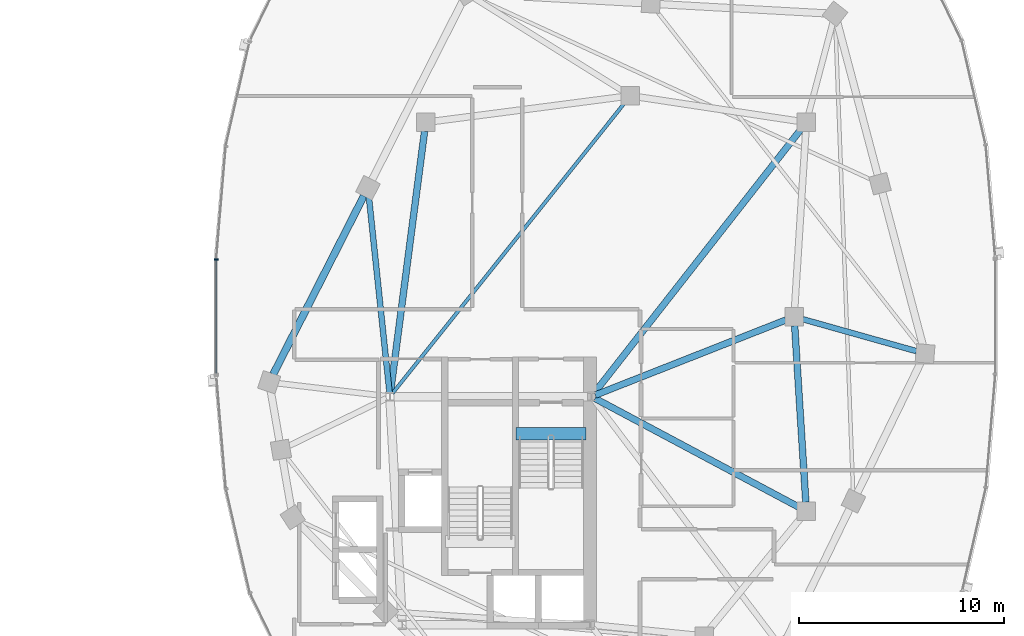
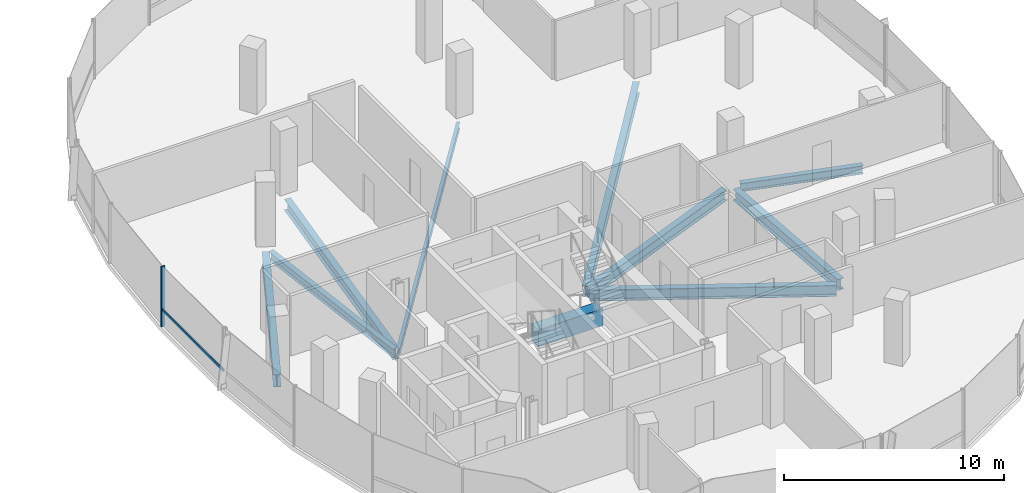
# One storey, part 9 of 25: 10 beams, 2 members, 1 element without a shape of its own.
"""IFC4 building model written with IfcOpenShell, lengths in metres."""

import ifcopenshell
import ifcopenshell.guid

model = None  # the IFC model being written
_history = None  # IfcOwnerHistory: only IFC2X3 demands one
_inside = {}  # id of a spatial element -> (the spatial element, [elements in it])
_under = {}  # id of a project, library or spatial element -> (it, [spatial elements below it])
_declared = {}  # id of a project -> (the project, [libraries it declares])
_typed = {}  # id of a type object -> (the type object, [elements of that type])
_made_of = {}  # id of a material, layer set ... -> (it, [elements and type objects made of it])


def new_model(schema):
    """Start an empty IFC model of exactly this schema.

    Asked for "IFC4X3", IfcOpenShell would pick the latest addendum, in which some entities
    have other attributes; the version numbers below select the first issue.
    IFC2X3 requires an IfcOwnerHistory on every rooted entity: one is made here for all.
    """
    global model, _history
    if schema == "IFC4X3":
        model = ifcopenshell.file(schema_version=(4, 3, 0, 0))
    else:
        model = ifcopenshell.file(schema=schema)
    _inside.clear()
    _under.clear()
    _declared.clear()
    _typed.clear()
    _made_of.clear()
    _history = None
    if model.schema == "IFC2X3":
        org = make("IfcOrganization", Name="unknown")
        user = make(
            "IfcPersonAndOrganization",
            ThePerson=make("IfcPerson", FamilyName="unknown"),
            TheOrganization=org,
        )
        app = make(
            "IfcApplication",
            ApplicationDeveloper=org,
            Version="unknown",
            ApplicationFullName="unknown",
            ApplicationIdentifier="unknown",
        )
        _history = make(
            "IfcOwnerHistory",
            OwningUser=user,
            OwningApplication=app,
            ChangeAction="ADDED",
            CreationDate=0,
        )
    return model


def make(cls, **values):
    """One entity of the class cls with the attributes given. An attribute that is None is left unset."""
    return model.create_entity(
        cls, **{name: value for name, value in values.items() if value is not None}
    )


def rooted(cls, **values):
    """An entity with a GlobalId (a new one), such as an element, a storey or a relation."""
    return make(cls, GlobalId=ifcopenshell.guid.new(), OwnerHistory=_history, **values)


def si_unit(unit_type, name, prefix=None):
    """IfcSIUnit, for example si_unit("LENGTHUNIT", "METRE", prefix="MILLI")."""
    return make("IfcSIUnit", UnitType=unit_type, Prefix=prefix, Name=name)


def assignment(units):
    """IfcUnitAssignment: the units of a project."""
    return None if units is None else make("IfcUnitAssignment", Units=units)


def point(xyz):
    """IfcCartesianPoint."""
    return None if xyz is None else make("IfcCartesianPoint", Coordinates=xyz)


def direction(xyz):
    """IfcDirection."""
    return None if xyz is None else make("IfcDirection", DirectionRatios=xyz)


def frame(location, z_axis=None, x_axis=None):
    """IfcAxis2Placement3D, a coordinate frame: its origin and axes. An axis left out is left unset."""
    return make(
        "IfcAxis2Placement3D",
        Location=point(location),
        Axis=direction(z_axis),
        RefDirection=direction(x_axis),
    )


def frame_2d(location, x_axis=None):
    """IfcAxis2Placement2D, a coordinate frame in the plane: its origin and x axis."""
    return make(
        "IfcAxis2Placement2D", Location=point(location), RefDirection=direction(x_axis)
    )


def origin():
    """The frame at (0, 0, 0) with its axes left unset."""
    return frame((0.0, 0.0, 0.0))


def origin_2d():
    """The frame at (0, 0) in the plane with its x axis left unset."""
    return frame_2d((0.0, 0.0))


def place(relative_to, where):
    """IfcLocalPlacement: puts the frame where relative to a parent placement (None: the world)."""
    return make(
        "IfcLocalPlacement", PlacementRelTo=relative_to, RelativePlacement=where
    )


def context(
    kind, dimensions, precision=None, world=None, true_north=None, identifier=None
):
    """IfcGeometricRepresentationContext, for example the 3D "Model" context."""
    return make(
        "IfcGeometricRepresentationContext",
        ContextIdentifier=identifier,
        ContextType=kind,
        CoordinateSpaceDimension=dimensions,
        Precision=precision,
        WorldCoordinateSystem=world,
        TrueNorth=true_north,
    )


def subcontext(parent, identifier, kind, view, scale=None):
    """IfcGeometricRepresentationSubContext, for example "Body" below "Model"."""
    return make(
        "IfcGeometricRepresentationSubContext",
        ContextIdentifier=identifier,
        ContextType=kind,
        ParentContext=parent,
        TargetScale=scale,
        TargetView=view,
    )


def project(units=None, contexts=None):
    """IfcProject with its units and contexts."""
    return rooted(
        "IfcProject",
        Name="project",
        RepresentationContexts=contexts,
        UnitsInContext=assignment(units),
    )


def spatial(cls, under=None, at=None, **own):
    """A site, building, storey or space (cls), placed at a placement, below another one or the project."""
    s = rooted(cls, ObjectPlacement=at, **own)
    if under is not None:
        _under.setdefault(under.id(), (under, []))[1].append(s)
    return s


def profile(cls, at=None, kind="AREA", **sizes):
    """A parametric profile (cls). Its sizes go by their IFC names, for example OverallWidth=200.0."""
    return make(cls, ProfileType=kind, Position=at, **sizes)


def rectangle(**sizes):
    """IfcRectangleProfileDef."""
    return profile("IfcRectangleProfileDef", **sizes)


def i_section(**sizes):
    """IfcIShapeProfileDef."""
    return profile("IfcIShapeProfileDef", **sizes)


def extrude(swept, where, along, depth):
    """IfcExtrudedAreaSolid: the profile swept, set in the frame where, extruded along a direction by depth."""
    return make(
        "IfcExtrudedAreaSolid",
        SweptArea=swept,
        Position=where,
        ExtrudedDirection=direction(along),
        Depth=depth,
    )


def shape(context_of_items, identifier, shape_type, items):
    """IfcShapeRepresentation: the items that make up one representation, for example the "Body"."""
    return make(
        "IfcShapeRepresentation",
        ContextOfItems=context_of_items,
        RepresentationIdentifier=identifier,
        RepresentationType=shape_type,
        Items=items,
    )


def material(Name=None, Category=None):
    """IfcMaterial."""
    return make("IfcMaterial", Name=Name, Category=Category)


def material_profile(
    of_material, cross_section, Name=None, Category=None, Priority=None
):
    """IfcMaterialProfile: a cross section and its material."""
    return make(
        "IfcMaterialProfile",
        Name=Name,
        Material=of_material,
        Profile=cross_section,
        Priority=Priority,
        Category=Category,
    )


def profile_set(profiles, Name=None, composite=None):
    """IfcMaterialProfileSet."""
    return make(
        "IfcMaterialProfileSet",
        Name=Name,
        MaterialProfiles=profiles,
        CompositeProfile=composite,
    )


def made_of(thing, what):
    """Note that an element or type object is made of a material, layer set ...; save() writes the relation."""
    if what is not None:
        _made_of.setdefault(what.id(), (what, []))[1].append(thing)
    return thing


def type_object(cls, material=None, **own):
    """A type object (cls), such as IfcWallType, which elements share."""
    return made_of(rooted(cls, **own), material)


def element(
    cls,
    number,
    at=None,
    inside=None,
    cuts=None,
    type_object=None,
    material=None,
    context=None,
    identifier="Body",
    shape_type=None,
    held_by="IfcProductDefinitionShape",
    body=None,
    shapes=None,
    **own,
):
    """One element of the class cls, such as IfcWall. Its Tag is "e" and its number.

    at: its placement. inside: the storey or other place that contains it. cuts: it is an
    opening in that element (IfcRelVoidsElement). A single representation is given by context,
    identifier, shape_type and body (its items); several are given by shapes. held_by: the class
    of the entity that holds the representations. save() writes the other relations.
    """
    e = rooted(cls, Tag="e%d" % number, ObjectPlacement=at, **own)
    if body is not None:
        shapes = [shape(context, identifier, shape_type, body)]
    if shapes is not None:
        e.Representation = make(held_by, Representations=shapes)
    if inside is not None:
        _inside.setdefault(inside.id(), (inside, []))[1].append(e)
    if cuts is not None:
        rooted(
            "IfcRelVoidsElement", RelatingBuildingElement=cuts, RelatedOpeningElement=e
        )
    if type_object is not None:
        _typed.setdefault(type_object.id(), (type_object, []))[1].append(e)
    return made_of(e, material)


def aggregate(whole, parts):
    """IfcRelAggregates: a whole, such as a stair, and the parts it consists of."""
    return rooted("IfcRelAggregates", RelatingObject=whole, RelatedObjects=parts)


def save(model, path):
    """Write the relations noted so far, then the file.

    IfcRelAggregates (storeys below a building ...), IfcRelContainedInSpatialStructure (elements
    in a storey), IfcRelDefinesByType, IfcRelAssociatesMaterial and IfcRelDeclares: one each for
    every whole, place, type object, material and project.
    """
    for whole, parts in _under.values():
        aggregate(whole, parts)
    for where, things in _inside.values():
        rooted(
            "IfcRelContainedInSpatialStructure",
            RelatedElements=things,
            RelatingStructure=where,
        )
    for kind, things in _typed.values():
        rooted("IfcRelDefinesByType", RelatedObjects=things, RelatingType=kind)
    for what, things in _made_of.values():
        rooted("IfcRelAssociatesMaterial", RelatedObjects=things, RelatingMaterial=what)
    for by, libraries in _declared.values():
        rooted("IfcRelDeclares", RelatingContext=by, RelatedDefinitions=libraries)
    model.write(path)


model = new_model("IFC4")

# Units and contexts
model_context = context("Model", 3, precision=1e-05, world=origin(), true_north=direction((0.0, 1.0)))
body_context = subcontext(model_context, "Body", "Model", "MODEL_VIEW")
ifc_project = project(units=[si_unit("LENGTHUNIT", "METRE"), si_unit("AREAUNIT", "SQUARE_METRE"), si_unit("VOLUMEUNIT", "CUBIC_METRE"), si_unit("PLANEANGLEUNIT", "RADIAN"), si_unit("MASSUNIT", "GRAM", prefix="KILO"), si_unit("THERMODYNAMICTEMPERATUREUNIT", "KELVIN"), si_unit("POWERUNIT", "WATT")], contexts=[model_context])

# Site, building, storey
site_placement = place(None, origin())
site = spatial("IfcSite", under=ifc_project, at=site_placement, CompositionType="ELEMENT")
building_placement = place(site_placement, origin())
building = spatial("IfcBuilding", under=site, at=building_placement, Name="Cundina Bronze Exchange", CompositionType="ELEMENT")
storey_placement = place(building_placement, frame((0.0, 0.0, 217.0)))
storey = spatial("IfcBuildingStorey", under=building, at=storey_placement, Name="L57", CompositionType="ELEMENT", Elevation=217.0)

# Beams
ifc_material_1 = material(Name="Concrete C60/75", Category="concrete")
ifc_material_profile_1 = material_profile(ifc_material_1, rectangle(XDim=0.60009765625, YDim=0.949951171875, at=origin_2d()), Name="RC600X950", Category="concrete")
ifc_profile_set_1 = profile_set([ifc_material_profile_1], Name="Concrete C60/75")
beam_type_1 = type_object("IfcBeamType", Name="BM-COUP-RC950", PredefinedType="LINTEL", material=ifc_profile_set_1)
beam_1_placement = place(storey_placement, frame((27.6201171875, -5.719970703125, -0.47509765625), z_axis=(1.0, 0.0, 0.0), x_axis=(0.0, 1.0, 0.0)))
element("IfcBeam", 1, at=beam_1_placement, inside=storey, type_object=beam_type_1, Name="L57 Stair E1 Landing Header Beam", PredefinedType="LINTEL", context=body_context, shape_type="SweptSolid", body=[
    extrude(rectangle(XDim=0.60009765625, YDim=0.949951171875, at=origin_2d()), origin(), (0.0, 0.0, 1.0), 3.39990234375),
])
ifc_material_2 = material(Name="Steel ASTM A992 Grade 50", Category="steel")
ifc_material_profile_2 = material_profile(ifc_material_2, i_section(OverallWidth=0.280029296875, OverallDepth=0.462890625, WebThickness=0.0107421875, FlangeThickness=0.017333984375, FilletRadius=0.011962890625, at=origin_2d()), Name="W18X76", Category="steel")
ifc_profile_set_2 = profile_set([ifc_material_profile_2], Name="Steel ASTM A992 Grade 50")
beam_type_2 = type_object("IfcBeamType", Name="BM-FLR-W18A", PredefinedType="BEAM", material=ifc_profile_set_2)
beam_2_placement = place(storey_placement, frame((41.62158203125, -0.11865234375, -0.491455078125), z_axis=(0.96265679604, -0.270724755127, 0.0), x_axis=(0.270724755127, 0.96265679604, 0.0)))
element("IfcBeam", 2, at=beam_2_placement, inside=storey, type_object=beam_type_2, Name="L57 Leg E Chordal Floor Beam 08", PredefinedType="BEAM", context=body_context, shape_type="SweptSolid", body=[
    extrude(i_section(OverallWidth=0.280029296875, OverallDepth=0.462890625, WebThickness=0.0107421875, FlangeThickness=0.017333984375, FilletRadius=0.011962890625, at=origin_2d()), origin(), (0.0, 0.0, 1.0), 5.7724609375),
])
beam_3_placement = place(storey_placement, frame((21.429443359375, -3.705078125, -0.491455078125), z_axis=(-0.104810251666, 0.994492237851, 0.0), x_axis=(-0.994492237851, -0.104810251666, 0.0)))
element("IfcBeam", 3, at=beam_3_placement, inside=storey, type_object=beam_type_2, Name="L57 Leg E Chordal Floor Beam 13", PredefinedType="BEAM", context=body_context, shape_type="SweptSolid", body=[
    extrude(i_section(OverallWidth=0.280029296875, OverallDepth=0.462890625, WebThickness=0.0107421875, FlangeThickness=0.017333984375, FilletRadius=0.011962890625, at=origin_2d()), origin(), (0.0, 0.0, 1.0), 9.62255859375),
])
ifc_material_profile_3 = material_profile(ifc_material_2, i_section(OverallWidth=0.172119140625, OverallDepth=0.35791015625, WebThickness=0.0078125, FlangeThickness=0.01318359375, FilletRadius=0.010009765625, at=origin_2d()), Name="W14X38", Category="steel")
ifc_profile_set_3 = profile_set([ifc_material_profile_3], Name="Steel ASTM A992 Grade 50")
beam_type_3 = type_object("IfcBeamType", Name="BM-JST-W14", PredefinedType="JOIST", material=ifc_profile_set_3)
beam_4_placement = place(storey_placement, frame((21.572509765625, -3.746826171875, -0.43896484375), z_axis=(0.624364266872, 0.781133319129, 0.0), x_axis=(-0.781133319129, 0.624364266872, 0.0)))
element("IfcBeam", 4, at=beam_4_placement, inside=storey, type_object=beam_type_3, Name="L57 E Interior Core-to-Ring Joist 2", PredefinedType="JOIST", context=body_context, shape_type="SweptSolid", body=[
    extrude(i_section(OverallWidth=0.172119140625, OverallDepth=0.35791015625, WebThickness=0.0078125, FlangeThickness=0.01318359375, FilletRadius=0.010009765625, at=origin_2d()), origin(), (0.0, 0.0, 1.0), 18.184814453125),
])
ifc_material_profile_4 = material_profile(ifc_material_2, i_section(OverallWidth=0.324951171875, OverallDepth=0.615966796875, WebThickness=0.013916015625, FlangeThickness=0.021484375, FilletRadius=0.01611328125, at=origin_2d()), Name="W24X117", Category="steel")
ifc_profile_set_4 = profile_set([ifc_material_profile_4], Name="Steel ASTM A992 Grade 50")
beam_type_4 = type_object("IfcBeamType", Name="BM-RING-W24", PredefinedType="USERDEFINED", material=ifc_profile_set_4)
beam_5_placement = place(storey_placement, frame((41.7724609375, -9.06298828125, -0.568115234375), z_axis=(-0.063046519736, 0.998010589297, 0.0), x_axis=(-0.998010589297, -0.063046519736, 0.0)))
element("IfcBeam", 5, at=beam_5_placement, inside=storey, type_object=beam_type_4, Name="L57 E Inner Structural Ring Girder 03", ObjectType="GIRDER", PredefinedType="USERDEFINED", context=body_context, shape_type="SweptSolid", body=[
    extrude(i_section(OverallWidth=0.324951171875, OverallDepth=0.615966796875, WebThickness=0.013916015625, FlangeThickness=0.021484375, FilletRadius=0.01611328125, at=origin_2d()), origin(), (0.0, 0.0, 1.0), 8.64306640625),
])
beam_6_placement = place(storey_placement, frame((23.143310546875, 9.065673828125, -0.568115234375), z_axis=(-0.129501251979, -0.991579258424, 0.0), x_axis=(0.991579258424, -0.129501251979, 0.0)))
element("IfcBeam", 6, at=beam_6_placement, inside=storey, type_object=beam_type_4, Name="L57 E Inner Structural Ring Girder 07", ObjectType="GIRDER", PredefinedType="USERDEFINED", context=body_context, shape_type="SweptSolid", body=[
    extrude(i_section(OverallWidth=0.324951171875, OverallDepth=0.615966796875, WebThickness=0.013916015625, FlangeThickness=0.021484375, FilletRadius=0.01611328125, at=origin_2d()), origin(), (0.0, 0.0, 1.0), 12.8798828125),
])
beam_7_placement = place(storey_placement, frame((31.482421875, -3.828125, -0.568115234375), z_axis=(0.930404106569, 0.366535398673, 0.0), x_axis=(-0.366535398673, 0.930404106569, 0.0)))
element("IfcBeam", 7, at=beam_7_placement, inside=storey, type_object=beam_type_4, Name="L57 E Core-to-Waist Tie Beam 1", ObjectType="GIRDER", PredefinedType="USERDEFINED", context=body_context, shape_type="SweptSolid", body=[
    extrude(i_section(OverallWidth=0.324951171875, OverallDepth=0.615966796875, WebThickness=0.013916015625, FlangeThickness=0.021484375, FilletRadius=0.01611328125, at=origin_2d()), origin(), (0.0, 0.0, 1.0), 10.00634765625),
])
beam_8_placement = place(storey_placement, frame((31.472900390625, -3.9921875, -0.568115234375), z_axis=(0.882350541683, -0.470592734317, 0.0), x_axis=(0.470592734317, 0.882350541683, 0.0)))
element("IfcBeam", 8, at=beam_8_placement, inside=storey, type_object=beam_type_4, Name="L57 E Core-to-Waist Tie Beam 2", ObjectType="GIRDER", PredefinedType="USERDEFINED", context=body_context, shape_type="SweptSolid", body=[
    extrude(i_section(OverallWidth=0.324951171875, OverallDepth=0.615966796875, WebThickness=0.013916015625, FlangeThickness=0.021484375, FilletRadius=0.01611328125, at=origin_2d()), origin(), (0.0, 0.0, 1.0), 11.26611328125),
])
beam_9_placement = place(storey_placement, frame((31.4208984375, -3.74560546875, -0.568115234375), z_axis=(0.616782900053, 0.787133314123, 0.0), x_axis=(-0.787133314123, 0.616782900053, 0.0)))
element("IfcBeam", 9, at=beam_9_placement, inside=storey, type_object=beam_type_4, Name="L57 E Core-to-Waist Tie Beam 3", ObjectType="GIRDER", PredefinedType="USERDEFINED", context=body_context, shape_type="SweptSolid", body=[
    extrude(i_section(OverallWidth=0.324951171875, OverallDepth=0.615966796875, WebThickness=0.013916015625, FlangeThickness=0.021484375, FilletRadius=0.01611328125, at=origin_2d()), origin(), (0.0, 0.0, 1.0), 16.3896484375),
])
ifc_material_profile_5 = material_profile(ifc_material_2, i_section(OverallWidth=0.35498046875, OverallDepth=0.695068359375, WebThickness=0.015380859375, FlangeThickness=0.02490234375, FilletRadius=0.01806640625, at=origin_2d()), Name="W27X146", Category="steel")
ifc_profile_set_5 = profile_set([ifc_material_profile_5], Name="Steel ASTM A992 Grade 50")
beam_type_5 = type_object("IfcBeamType", Name="BM-RING-W27", PredefinedType="USERDEFINED", material=ifc_profile_set_5)
beam_10_placement = place(storey_placement, frame((20.1767578125, 5.909423828125, -0.607421875), z_axis=(-0.452846871434, -0.891588308039, 0.0), x_axis=(0.891588308039, -0.452846871434, 0.0)))
element("IfcBeam", 10, at=beam_10_placement, inside=storey, type_object=beam_type_5, Name="L57 E Perimeter Ring Girder 13", ObjectType="GIRDER", PredefinedType="USERDEFINED", context=body_context, shape_type="SweptSolid", body=[
    extrude(i_section(OverallWidth=0.35498046875, OverallDepth=0.695068359375, WebThickness=0.015380859375, FlangeThickness=0.02490234375, FilletRadius=0.01806640625, at=origin_2d()), origin(), (0.0, 0.0, 1.0), 9.779052734375),
])

# Curtain wall, members
ifc_material_3 = material(Name="Anodised Bronze Aluminium 6063-T6", Category="aluminium")
curtain_wall_type = type_object("IfcCurtainWallType", Name="CWS-UPP-OFF", PredefinedType="NOTDEFINED", material=ifc_material_3)
curtain_wall_placement = place(storey_placement, origin())
curtain_wall = element("IfcCurtainWall", 11, at=curtain_wall_placement, inside=storey, type_object=curtain_wall_type, Name="L57 CW-05 Curtain Wall Run CWR-L57-E2", PredefinedType="NOTDEFINED")
ifc_material_profile_6 = material_profile(ifc_material_3, rectangle(XDim=0.070068359375, YDim=0.18994140625, at=origin_2d()), Name="AL70X190", Category="aluminium")
ifc_profile_set_6 = profile_set([ifc_material_profile_6], Name="Anodised Bronze Aluminium 6063-T6")
member_type_1 = type_object("IfcMemberType", Name="CWM-MUL-190", PredefinedType="MULLION", material=ifc_profile_set_6)
member_1_placement = place(storey_placement, frame((12.966064453125, 2.794921875, 0.0), z_axis=(0.0, 0.0, 1.0), x_axis=(0.0, -1.0, 0.0)))
member_1 = element("IfcMember", 12, at=member_1_placement, type_object=member_type_1, Name="CW-05 Mullion 7", PredefinedType="MULLION", context=body_context, shape_type="SweptSolid", body=[
    extrude(rectangle(XDim=0.070068359375, YDim=0.18994140625, at=origin_2d()), origin(), (0.0, 0.0, 1.0), 3.340087890625),
])
ifc_material_profile_7 = material_profile(ifc_material_3, rectangle(XDim=0.06494140625, YDim=0.14990234375, at=origin_2d()), Name="AL65X150", Category="aluminium")
ifc_profile_set_7 = profile_set([ifc_material_profile_7], Name="Anodised Bronze Aluminium 6063-T6")
member_type_2 = type_object("IfcMemberType", Name="CWM-TRN-150", PredefinedType="USERDEFINED", material=ifc_profile_set_7)
member_2_placement = place(storey_placement, frame((12.966064453125, 2.756591796875, 0.919921875), z_axis=(0.0, -1.0, 0.0), x_axis=(1.0, 0.0, 0.0)))
member_2 = element("IfcMember", 13, at=member_2_placement, type_object=member_type_2, Name="CW-05 Spandrel Transom 7", ObjectType="TRANSOM", PredefinedType="USERDEFINED", context=body_context, shape_type="SweptSolid", body=[
    extrude(rectangle(XDim=0.06494140625, YDim=0.14990234375, at=origin_2d()), origin(), (0.0, 0.0, 1.0), 5.51318359375),
])
aggregate(curtain_wall, [member_1, member_2])

save(model, "model.ifc")
